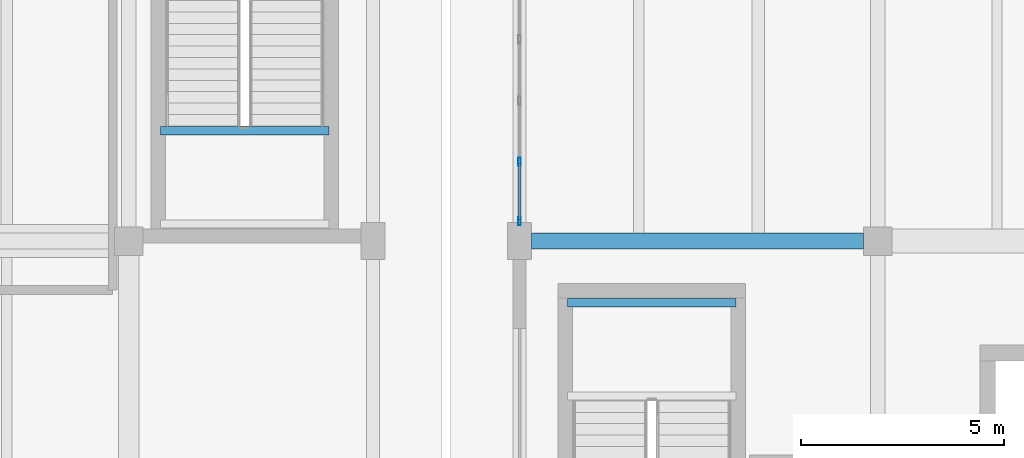
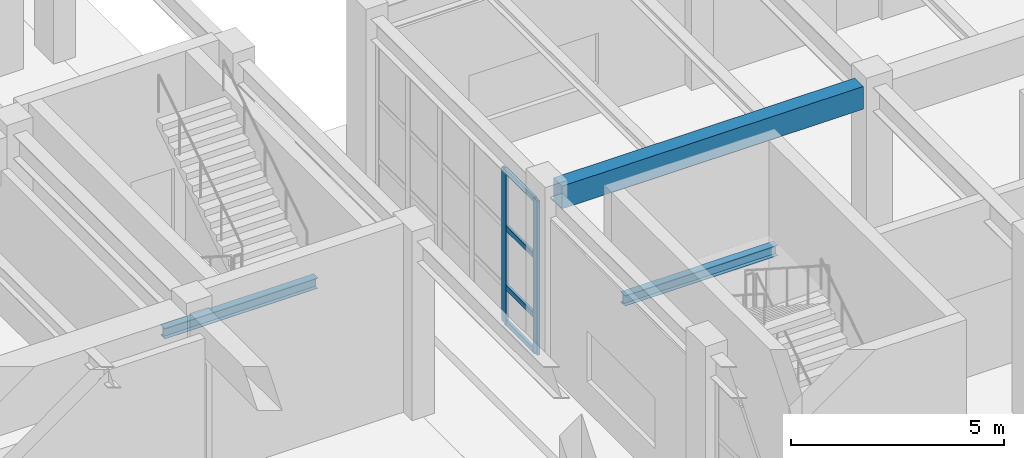
# One storey, part 47 of 91: 6 members, 3 beams, 1 element without a shape of its own.
"""IFC4 building model written with IfcOpenShell, lengths in metres."""

from ifc_helpers import new_model, si_unit, direction, frame, origin, origin_2d, place, context, subcontext, project, spatial, rectangle, hollow_rectangle, i_section, extrude, material, layer, layer_set, material_profile, profile_set, type_object, element, aggregate, save


model = new_model("IFC4")

# Units and contexts
model_context = context("Model", 3, precision=1e-05, world=origin(), true_north=direction((0.0, 1.0)))
body_context = subcontext(model_context, "Body", "Model", "MODEL_VIEW")
ifc_project = project(units=[si_unit("LENGTHUNIT", "METRE"), si_unit("AREAUNIT", "SQUARE_METRE"), si_unit("VOLUMEUNIT", "CUBIC_METRE"), si_unit("PLANEANGLEUNIT", "RADIAN"), si_unit("MASSUNIT", "GRAM", prefix="KILO")], contexts=[model_context])

# Site, building, storey
site_placement = place(None, origin())
site = spatial("IfcSite", under=ifc_project, at=site_placement, CompositionType="ELEMENT")
building_placement = place(site_placement, origin())
building = spatial("IfcBuilding", under=site, at=building_placement, Name="Vaelkrest Opera House", CompositionType="ELEMENT")
storey_placement = place(building_placement, origin())
storey = spatial("IfcBuildingStorey", under=building, at=storey_placement, Name="L00", CompositionType="ELEMENT", Elevation=0.0)

# Beam
ifc_material_1 = material(Name="Concrete C50/60", Category="concrete")
ifc_material_profile_1 = material_profile(ifc_material_1, rectangle(XDim=0.39990234375, YDim=0.64990234375, at=origin_2d()), Name="RCB400X650")
ifc_profile_set_1 = profile_set([ifc_material_profile_1], Name="Concrete C50/60")
beam_type_1 = type_object("IfcBeamType", Name="B01", PredefinedType="BEAM", material=ifc_profile_set_1)
beam_placement = place(storey_placement, frame((33.89990234375, 25.199951171875, 4.7548828125), z_axis=(1.0, 0.0, 0.0), x_axis=(0.0, 1.0, 0.0)))
element("IfcBeam", 1, at=beam_placement, inside=storey, type_object=beam_type_1, Name="Beam BM-V4-L00-1981", PredefinedType="BEAM", context=body_context, shape_type="SweptSolid", body=[
    extrude(rectangle(XDim=0.39990234375, YDim=0.64990234375, at=origin_2d()), origin(), (0.0, 0.0, 1.0), 8.150146484375),
])

# Curtain wall, members
ifc_material_2 = material(Name="Dark bronze anodized aluminium", Category="aluminium")
ifc_layer = layer(ifc_material_2, 0.18994140625)
ifc_layer_set = layer_set([ifc_layer], Name="Dark bronze anodized aluminium")
curtain_wall_type = type_object("IfcCurtainWallType", Name="CW02", PredefinedType="NOTDEFINED", material=ifc_layer_set)
curtain_wall_placement = place(storey_placement, origin())
curtain_wall = element("IfcCurtainWall", 2, at=curtain_wall_placement, inside=storey, type_object=curtain_wall_type, Name="Curtain wall CW-L00-151", PredefinedType="NOTDEFINED")
ifc_material_profile_2 = material_profile(ifc_material_2, hollow_rectangle(XDim=0.070068359375, YDim=0.199951171875, WallThickness=0.004150390625, at=origin_2d()), Name="CWM70X200")
ifc_profile_set_2 = profile_set([ifc_material_profile_2], Name="Dark bronze anodized aluminium")
member_type_1 = type_object("IfcMemberType", Name="CWM02", PredefinedType="MULLION", material=ifc_profile_set_2)
member_1_placement = place(storey_placement, frame((33.60009765625, 25.68310546875, 0.0), z_axis=(0.0, 0.0, 1.0), x_axis=(-1.0, 0.0, 0.0)))
member_1 = element("IfcMember", 3, at=member_1_placement, type_object=member_type_1, Name="CW02 mullion 1", PredefinedType="MULLION", context=body_context, shape_type="SweptSolid", body=[
    extrude(hollow_rectangle(XDim=0.070068359375, YDim=0.199951171875, WallThickness=0.004150390625, at=origin_2d()), origin(), (0.0, 0.0, 1.0), 4.404052734375),
])
member_2_placement = place(storey_placement, frame((33.60009765625, 27.148681640625, 0.0), z_axis=(0.0, 0.0, 1.0), x_axis=(-1.0, 0.0, 0.0)))
member_2 = element("IfcMember", 4, at=member_2_placement, type_object=member_type_1, Name="CW02 mullion 2", PredefinedType="MULLION", context=body_context, shape_type="SweptSolid", body=[
    extrude(hollow_rectangle(XDim=0.070068359375, YDim=0.199951171875, WallThickness=0.004150390625, at=origin_2d()), origin(), (0.0, 0.0, 1.0), 4.404052734375),
])
ifc_material_profile_3 = material_profile(ifc_material_2, hollow_rectangle(XDim=0.070068359375, YDim=0.14990234375, WallThickness=0.004150390625, at=origin_2d()), Name="CWT70X150")
ifc_profile_set_3 = profile_set([ifc_material_profile_3], Name="Dark bronze anodized aluminium")
member_type_2 = type_object("IfcMemberType", Name="CWT02", PredefinedType="USERDEFINED", material=ifc_profile_set_3)
member_3_placement = place(storey_placement, frame((33.60009765625, 25.718017578125, 0.034912109375), z_axis=(0.0, 1.0, 0.0), x_axis=(-1.0, 0.0, 0.0)))
member_3 = element("IfcMember", 5, at=member_3_placement, type_object=member_type_2, Name="CW02 transom 1.1", ObjectType="TRANSOM", PredefinedType="USERDEFINED", context=body_context, shape_type="SweptSolid", body=[
    extrude(hollow_rectangle(XDim=0.070068359375, YDim=0.14990234375, WallThickness=0.004150390625, at=origin_2d()), origin(), (0.0, 0.0, 1.0), 1.395751953125),
])
member_4_placement = place(storey_placement, frame((33.60009765625, 25.718017578125, 1.050048828125), z_axis=(0.0, 1.0, 0.0), x_axis=(-1.0, 0.0, 0.0)))
member_4 = element("IfcMember", 6, at=member_4_placement, type_object=member_type_2, Name="CW02 transom 1.2", ObjectType="TRANSOM", PredefinedType="USERDEFINED", context=body_context, shape_type="SweptSolid", body=[
    extrude(hollow_rectangle(XDim=0.070068359375, YDim=0.14990234375, WallThickness=0.004150390625, at=origin_2d()), origin(), (0.0, 0.0, 1.0), 1.395751953125),
])
member_5_placement = place(storey_placement, frame((33.60009765625, 25.718017578125, 2.75), z_axis=(0.0, 1.0, 0.0), x_axis=(-1.0, 0.0, 0.0)))
member_5 = element("IfcMember", 7, at=member_5_placement, type_object=member_type_2, Name="CW02 transom 1.3", ObjectType="TRANSOM", PredefinedType="USERDEFINED", context=body_context, shape_type="SweptSolid", body=[
    extrude(hollow_rectangle(XDim=0.070068359375, YDim=0.14990234375, WallThickness=0.004150390625, at=origin_2d()), origin(), (0.0, 0.0, 1.0), 1.395751953125),
])
member_6_placement = place(storey_placement, frame((33.60009765625, 25.718017578125, 4.368896484375), z_axis=(0.0, 1.0, 0.0), x_axis=(-1.0, 0.0, 0.0)))
member_6 = element("IfcMember", 8, at=member_6_placement, type_object=member_type_2, Name="CW02 transom 1.4", ObjectType="TRANSOM", PredefinedType="USERDEFINED", context=body_context, shape_type="SweptSolid", body=[
    extrude(hollow_rectangle(XDim=0.070068359375, YDim=0.14990234375, WallThickness=0.004150390625, at=origin_2d()), origin(), (0.0, 0.0, 1.0), 1.395751953125),
])
aggregate(curtain_wall, [member_1, member_2, member_3, member_4, member_5, member_6])

# Beams
ifc_material_3 = material(Name="Steel A992 Gr50", Category="steel")
ifc_material_profile_4 = material_profile(ifc_material_3, i_section(OverallWidth=0.202880859375, OverallDepth=0.302978515625, WebThickness=0.007568359375, FlangeThickness=0.01318359375, at=origin_2d()), Name="W12X40")
ifc_profile_set_4 = profile_set([ifc_material_profile_4], Name="Steel A992 Gr50")
beam_type_2 = type_object("IfcBeamType", Name="J02", PredefinedType="JOIST", material=ifc_profile_set_4)
for number, where, z_axis, x_axis, name in (
    (9, (24.780029296875, 27.909912109375, 2.348388671875), (1.0, 0.0, 0.0), (0.0, 1.0, 0.0), "Stair landing bearer beam ST06 L00-1F"),
    (10, (34.780029296875, 23.679931640625, 2.348388671875), (1.0, 0.0, 0.0), (0.0, 1.0, 0.0), "Stair landing bearer beam ST09 L00-1F"),
):
    element("IfcBeam", number, at=place(storey_placement, frame(where, z_axis=z_axis, x_axis=x_axis)), inside=storey, type_object=beam_type_2, Name=name, PredefinedType="JOIST", context=body_context, shape_type="SweptSolid", body=[
        extrude(i_section(OverallWidth=0.202880859375, OverallDepth=0.302978515625, WebThickness=0.007568359375, FlangeThickness=0.01318359375, at=origin_2d()), origin(), (0.0, 0.0, 1.0), 4.139892578125),
    ])

save(model, "model.ifc")
